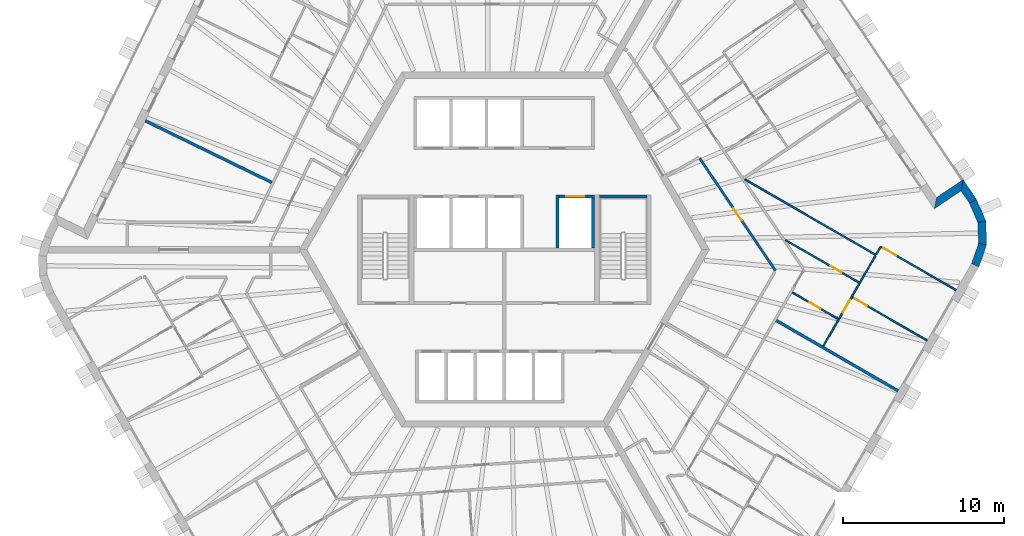
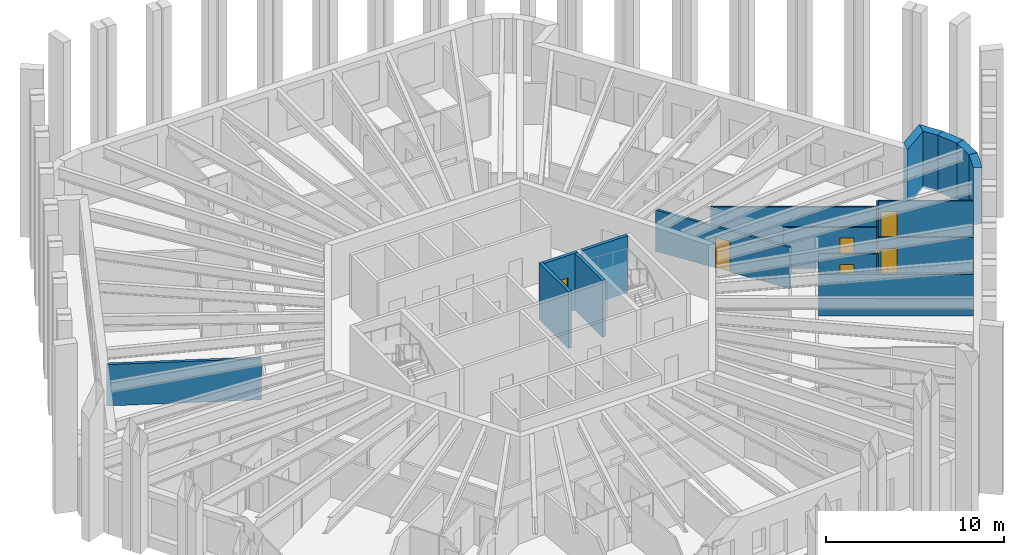
# One storey, part 7 of 13: 21 walls, 7 doors, 7 openings.
"""IFC4 building model written with IfcOpenShell, lengths in metres."""

import ifcopenshell
import ifcopenshell.guid

model = None  # the IFC model being written
_history = None  # IfcOwnerHistory: only IFC2X3 demands one
_inside = {}  # id of a spatial element -> (the spatial element, [elements in it])
_under = {}  # id of a project, library or spatial element -> (it, [spatial elements below it])
_declared = {}  # id of a project -> (the project, [libraries it declares])
_typed = {}  # id of a type object -> (the type object, [elements of that type])
_made_of = {}  # id of a material, layer set ... -> (it, [elements and type objects made of it])


def new_model(schema):
    """Start an empty IFC model of exactly this schema.

    Asked for "IFC4X3", IfcOpenShell would pick the latest addendum, in which some entities
    have other attributes; the version numbers below select the first issue.
    IFC2X3 requires an IfcOwnerHistory on every rooted entity: one is made here for all.
    """
    global model, _history
    if schema == "IFC4X3":
        model = ifcopenshell.file(schema_version=(4, 3, 0, 0))
    else:
        model = ifcopenshell.file(schema=schema)
    _inside.clear()
    _under.clear()
    _declared.clear()
    _typed.clear()
    _made_of.clear()
    _history = None
    if model.schema == "IFC2X3":
        org = make("IfcOrganization", Name="unknown")
        user = make(
            "IfcPersonAndOrganization",
            ThePerson=make("IfcPerson", FamilyName="unknown"),
            TheOrganization=org,
        )
        app = make(
            "IfcApplication",
            ApplicationDeveloper=org,
            Version="unknown",
            ApplicationFullName="unknown",
            ApplicationIdentifier="unknown",
        )
        _history = make(
            "IfcOwnerHistory",
            OwningUser=user,
            OwningApplication=app,
            ChangeAction="ADDED",
            CreationDate=0,
        )
    return model


def make(cls, **values):
    """One entity of the class cls with the attributes given. An attribute that is None is left unset."""
    return model.create_entity(
        cls, **{name: value for name, value in values.items() if value is not None}
    )


def rooted(cls, **values):
    """An entity with a GlobalId (a new one), such as an element, a storey or a relation."""
    return make(cls, GlobalId=ifcopenshell.guid.new(), OwnerHistory=_history, **values)


def si_unit(unit_type, name, prefix=None):
    """IfcSIUnit, for example si_unit("LENGTHUNIT", "METRE", prefix="MILLI")."""
    return make("IfcSIUnit", UnitType=unit_type, Prefix=prefix, Name=name)


def assignment(units):
    """IfcUnitAssignment: the units of a project."""
    return None if units is None else make("IfcUnitAssignment", Units=units)


def point(xyz):
    """IfcCartesianPoint."""
    return None if xyz is None else make("IfcCartesianPoint", Coordinates=xyz)


def direction(xyz):
    """IfcDirection."""
    return None if xyz is None else make("IfcDirection", DirectionRatios=xyz)


def frame(location, z_axis=None, x_axis=None):
    """IfcAxis2Placement3D, a coordinate frame: its origin and axes. An axis left out is left unset."""
    return make(
        "IfcAxis2Placement3D",
        Location=point(location),
        Axis=direction(z_axis),
        RefDirection=direction(x_axis),
    )


def frame_2d(location, x_axis=None):
    """IfcAxis2Placement2D, a coordinate frame in the plane: its origin and x axis."""
    return make(
        "IfcAxis2Placement2D", Location=point(location), RefDirection=direction(x_axis)
    )


def origin():
    """The frame at (0, 0, 0) with its axes left unset."""
    return frame((0.0, 0.0, 0.0))


def place(relative_to, where):
    """IfcLocalPlacement: puts the frame where relative to a parent placement (None: the world)."""
    return make(
        "IfcLocalPlacement", PlacementRelTo=relative_to, RelativePlacement=where
    )


def context(
    kind, dimensions, precision=None, world=None, true_north=None, identifier=None
):
    """IfcGeometricRepresentationContext, for example the 3D "Model" context."""
    return make(
        "IfcGeometricRepresentationContext",
        ContextIdentifier=identifier,
        ContextType=kind,
        CoordinateSpaceDimension=dimensions,
        Precision=precision,
        WorldCoordinateSystem=world,
        TrueNorth=true_north,
    )


def subcontext(parent, identifier, kind, view, scale=None):
    """IfcGeometricRepresentationSubContext, for example "Body" below "Model"."""
    return make(
        "IfcGeometricRepresentationSubContext",
        ContextIdentifier=identifier,
        ContextType=kind,
        ParentContext=parent,
        TargetScale=scale,
        TargetView=view,
    )


def project(units=None, contexts=None):
    """IfcProject with its units and contexts."""
    return rooted(
        "IfcProject",
        Name="project",
        RepresentationContexts=contexts,
        UnitsInContext=assignment(units),
    )


def spatial(cls, under=None, at=None, **own):
    """A site, building, storey or space (cls), placed at a placement, below another one or the project."""
    s = rooted(cls, ObjectPlacement=at, **own)
    if under is not None:
        _under.setdefault(under.id(), (under, []))[1].append(s)
    return s


def polyline(points):
    """IfcPolyline through the points."""
    return make("IfcPolyline", Points=[point(p) for p in points])


def profile(cls, at=None, kind="AREA", **sizes):
    """A parametric profile (cls). Its sizes go by their IFC names, for example OverallWidth=200.0."""
    return make(cls, ProfileType=kind, Position=at, **sizes)


def rectangle(**sizes):
    """IfcRectangleProfileDef."""
    return profile("IfcRectangleProfileDef", **sizes)


def outline(outer, holes=None, kind="AREA"):
    """IfcArbitraryClosedProfileDef: a profile drawn as a closed curve; with holes, ...WithVoids."""
    if holes is None:
        return make("IfcArbitraryClosedProfileDef", ProfileType=kind, OuterCurve=outer)
    return make(
        "IfcArbitraryProfileDefWithVoids",
        ProfileType=kind,
        OuterCurve=outer,
        InnerCurves=holes,
    )


def extrude(swept, where, along, depth):
    """IfcExtrudedAreaSolid: the profile swept, set in the frame where, extruded along a direction by depth."""
    return make(
        "IfcExtrudedAreaSolid",
        SweptArea=swept,
        Position=where,
        ExtrudedDirection=direction(along),
        Depth=depth,
    )


def shape(context_of_items, identifier, shape_type, items):
    """IfcShapeRepresentation: the items that make up one representation, for example the "Body"."""
    return make(
        "IfcShapeRepresentation",
        ContextOfItems=context_of_items,
        RepresentationIdentifier=identifier,
        RepresentationType=shape_type,
        Items=items,
    )


def material(Name=None, Category=None):
    """IfcMaterial."""
    return make("IfcMaterial", Name=Name, Category=Category)


def layer(
    of_material, thickness, ventilated=None, Name=None, Category=None, Priority=None
):
    """IfcMaterialLayer: one layer of a wall or slab, of a material (None: an air gap)."""
    return make(
        "IfcMaterialLayer",
        Material=of_material,
        LayerThickness=thickness,
        IsVentilated=ventilated,
        Name=Name,
        Category=Category,
        Priority=Priority,
    )


def layer_set(layers, Name=None):
    """IfcMaterialLayerSet."""
    return make("IfcMaterialLayerSet", MaterialLayers=layers, LayerSetName=Name)


def made_of(thing, what):
    """Note that an element or type object is made of a material, layer set ...; save() writes the relation."""
    if what is not None:
        _made_of.setdefault(what.id(), (what, []))[1].append(thing)
    return thing


def type_object(cls, material=None, **own):
    """A type object (cls), such as IfcWallType, which elements share."""
    return made_of(rooted(cls, **own), material)


def element(
    cls,
    number,
    at=None,
    inside=None,
    cuts=None,
    type_object=None,
    material=None,
    context=None,
    identifier="Body",
    shape_type=None,
    held_by="IfcProductDefinitionShape",
    body=None,
    shapes=None,
    **own,
):
    """One element of the class cls, such as IfcWall. Its Tag is "e" and its number.

    at: its placement. inside: the storey or other place that contains it. cuts: it is an
    opening in that element (IfcRelVoidsElement). A single representation is given by context,
    identifier, shape_type and body (its items); several are given by shapes. held_by: the class
    of the entity that holds the representations. save() writes the other relations.
    """
    e = rooted(cls, Tag="e%d" % number, ObjectPlacement=at, **own)
    if body is not None:
        shapes = [shape(context, identifier, shape_type, body)]
    if shapes is not None:
        e.Representation = make(held_by, Representations=shapes)
    if inside is not None:
        _inside.setdefault(inside.id(), (inside, []))[1].append(e)
    if cuts is not None:
        rooted(
            "IfcRelVoidsElement", RelatingBuildingElement=cuts, RelatedOpeningElement=e
        )
    if type_object is not None:
        _typed.setdefault(type_object.id(), (type_object, []))[1].append(e)
    return made_of(e, material)


def fill(opening, filler):
    """IfcRelFillsElement: the door or window that sits in an opening."""
    return rooted(
        "IfcRelFillsElement",
        RelatingOpeningElement=opening,
        RelatedBuildingElement=filler,
    )


def aggregate(whole, parts):
    """IfcRelAggregates: a whole, such as a stair, and the parts it consists of."""
    return rooted("IfcRelAggregates", RelatingObject=whole, RelatedObjects=parts)


def save(model, path):
    """Write the relations noted so far, then the file.

    IfcRelAggregates (storeys below a building ...), IfcRelContainedInSpatialStructure (elements
    in a storey), IfcRelDefinesByType, IfcRelAssociatesMaterial and IfcRelDeclares: one each for
    every whole, place, type object, material and project.
    """
    for whole, parts in _under.values():
        aggregate(whole, parts)
    for where, things in _inside.values():
        rooted(
            "IfcRelContainedInSpatialStructure",
            RelatedElements=things,
            RelatingStructure=where,
        )
    for kind, things in _typed.values():
        rooted("IfcRelDefinesByType", RelatedObjects=things, RelatingType=kind)
    for what, things in _made_of.values():
        rooted("IfcRelAssociatesMaterial", RelatedObjects=things, RelatingMaterial=what)
    for by, libraries in _declared.values():
        rooted("IfcRelDeclares", RelatingContext=by, RelatedDefinitions=libraries)
    model.write(path)


model = new_model("IFC4")

# Units and contexts
model_context = context("Model", 3, precision=1e-05, world=origin(), true_north=direction((0.0, 1.0)))
body_context = subcontext(model_context, "Body", "Model", "MODEL_VIEW")
ifc_project = project(units=[si_unit("LENGTHUNIT", "METRE"), si_unit("AREAUNIT", "SQUARE_METRE"), si_unit("VOLUMEUNIT", "CUBIC_METRE"), si_unit("PLANEANGLEUNIT", "RADIAN"), si_unit("MASSUNIT", "GRAM", prefix="KILO")], contexts=[model_context])

# Site, building, storey
site_placement = place(None, origin())
site = spatial("IfcSite", under=ifc_project, at=site_placement, CompositionType="ELEMENT")
building_placement = place(site_placement, origin())
building = spatial("IfcBuilding", under=site, at=building_placement, Name="Tarnside Tower", CompositionType="ELEMENT")
storey_placement = place(building_placement, frame((0.0, 0.0, 326.39990234375)))
storey = spatial("IfcBuildingStorey", under=building, at=storey_placement, Name="L79", CompositionType="ELEMENT", Elevation=326.39990234375)

# Wall
ifc_material_1 = material(Name="Gypsum board partition on steel studs", Category="steel")
ifc_layer_1 = layer(ifc_material_1, 0.10009765625)
ifc_layer_set_1 = layer_set([ifc_layer_1], Name="Bathroom wall 100")
wall_type_1 = type_object("IfcWallType", Name="Bathroom wall 100", PredefinedType="PARTITIONING", material=ifc_layer_set_1)
wall_1_placement = place(storey_placement, frame((14.896484375, 4.36083984375, 0.0), z_axis=(0.0, 0.0, 1.0), x_axis=(0.866020874699, -0.500007844523, 0.0)))
element("IfcWall", 1, at=wall_1_placement, inside=storey, type_object=wall_type_1, Name="Bathroom wall 26150", PredefinedType="PARTITIONING", context=body_context, shape_type="SweptSolid", body=[
    extrude(rectangle(XDim=9.379638671875, YDim=0.10009765625, at=frame_2d((4.68994140625, 0.0))), origin(), (0.0, 0.0, 1.0), 2.837890625),
])

# Wall, opening, door
wall_2_placement = place(storey_placement, frame((17.840087890625, -2.650146484375, 0.0), z_axis=(0.0, 0.0, 1.0), x_axis=(0.866002163101, -0.500040251884, 0.0)))
wall_2 = element("IfcWall", 2, at=wall_2_placement, inside=storey, type_object=wall_type_1, Name="Bathroom wall 26153", PredefinedType="PARTITIONING", context=body_context, shape_type="SweptSolid", body=[
    extrude(rectangle(XDim=3.324951171875, YDim=0.10009765625, at=frame_2d((1.66259765625, 0.0))), origin(), (0.0, 0.0, 1.0), 2.837890625),
])
opening_1_placement = place(wall_2_placement, frame((1.22509765625, 0.0, 0.0)))
opening_1 = element("IfcOpeningElement", 3, at=opening_1_placement, cuts=wall_2, Name="Opening D-B1", PredefinedType="OPENING", context=body_context, shape_type="SweptSolid", body=[
    extrude(rectangle(XDim=0.800048828125, YDim=2.10009765625, at=frame_2d((0.39990234375, 1.050048828125))), frame((0.0, 0.06005859375, 0.0), z_axis=(0.0, -1.0, 0.0), x_axis=(1.0, 0.0, 0.0)), (0.0, 0.0, 1.0), 0.1201171875),
])
ifc_material_2 = material(Name="Timber door leaf", Category="wood")
door_type_1 = type_object("IfcDoorType", Name="Bathroom door 800", OperationType="NOTDEFINED", PredefinedType="DOOR", material=ifc_material_2)
door_1_placement = place(opening_1_placement, origin())
door_1 = element("IfcDoor", 4, at=door_1_placement, inside=storey, type_object=door_type_1, Name="Bathroom door 26052", OperationType="SINGLE_SWING_RIGHT", OverallHeight=2.10009765625, OverallWidth=0.800048828125, PredefinedType="DOOR", context=body_context, shape_type="SweptSolid", body=[
    extrude(rectangle(XDim=0.800048828125, YDim=2.10009765625, at=frame_2d((0.39990234375, 1.050048828125))), frame((0.0, 0.02490234375, 0.0), z_axis=(0.0, -1.0, 0.0), x_axis=(1.0, 0.0, 0.0)), (0.0, 0.0, 1.0), 0.050048828125),
])
fill(opening_1, door_1)

wall_3_placement = place(storey_placement, frame((22.01953125, -2.06103515625, 0.0), z_axis=(0.0, 0.0, 1.0), x_axis=(-0.866041630335, 0.499971893737, 0.0)))
wall_3 = element("IfcWall", 5, at=wall_3_placement, inside=storey, type_object=wall_type_1, Name="Bathroom wall 26156", PredefinedType="PARTITIONING", context=body_context, shape_type="SweptSolid", body=[
    extrude(rectangle(XDim=5.309326171875, YDim=0.10009765625, at=frame_2d((2.65478515625, 0.0))), origin(), (0.0, 0.0, 1.0), 2.837890625),
])
opening_2_placement = place(wall_3_placement, frame((1.300048828125, 0.0, 0.0)))
opening_2 = element("IfcOpeningElement", 6, at=opening_2_placement, cuts=wall_3, Name="Opening D-B1", PredefinedType="OPENING", context=body_context, shape_type="SweptSolid", body=[
    extrude(rectangle(XDim=0.800048828125, YDim=2.10009765625, at=frame_2d((0.39990234375, 1.050048828125))), frame((0.0, 0.06005859375, 0.0), z_axis=(0.0, -1.0, 0.0), x_axis=(1.0, 0.0, 0.0)), (0.0, 0.0, 1.0), 0.1201171875),
])
door_2_placement = place(opening_2_placement, origin())
door_2 = element("IfcDoor", 7, at=door_2_placement, inside=storey, type_object=door_type_1, Name="Bathroom door 26060", OperationType="SINGLE_SWING_RIGHT", OverallHeight=2.10009765625, OverallWidth=0.800048828125, PredefinedType="DOOR", context=body_context, shape_type="SweptSolid", body=[
    extrude(rectangle(XDim=0.800048828125, YDim=2.10009765625, at=frame_2d((0.39990234375, 1.050048828125))), frame((0.0, 0.02490234375, 0.0), z_axis=(0.0, -1.0, 0.0), x_axis=(1.0, 0.0, 0.0)), (0.0, 0.0, 1.0), 0.050048828125),
])
fill(opening_2, door_2)

# Walls
wall_4_placement = place(storey_placement, frame((19.764404296875, -5.966796875, 0.0), z_axis=(0.0, 0.0, 1.0), x_axis=(0.500039310002, 0.866002706955, 0.0)))
element("IfcWall", 8, at=wall_4_placement, inside=storey, type_object=wall_type_1, Name="Bathroom wall 26157", PredefinedType="PARTITIONING", context=body_context, shape_type="SweptSolid", body=[
    extrude(rectangle(XDim=1.911865234375, YDim=0.10009765625, at=frame_2d((0.9560546875, 0.0))), origin(), (0.0, 0.0, 1.0), 2.837890625),
])
wall_5_placement = place(storey_placement, frame((22.99462890625, -0.372314453125, 0.0), z_axis=(0.0, 0.0, 1.0), x_axis=(-0.500063520245, -0.865988727248, 0.0)))
element("IfcWall", 9, at=wall_5_placement, inside=storey, type_object=wall_type_1, Name="Bathroom wall 26159", PredefinedType="PARTITIONING", context=body_context, shape_type="SweptSolid", body=[
    extrude(rectangle(XDim=1.900146484375, YDim=0.10009765625, at=frame_2d((0.9501953125, 0.0))), origin(), (0.0, 0.0, 1.0), 2.837890625),
])

# Wall, opening, door
ifc_layer_2 = layer(ifc_material_1, 0.14990234375)
ifc_layer_set_2 = layer_set([ifc_layer_2], Name="Corridor wall 150 EI 60")
wall_type_2 = type_object("IfcWallType", Name="Corridor wall 150 EI 60", PredefinedType="PARTITIONING", material=ifc_layer_set_2)
wall_6_placement = place(storey_placement, frame((12.106201171875, 5.6572265625, 0.0), z_axis=(0.0, 0.0, 1.0), x_axis=(0.559202573837, -0.829031049728, 0.0)))
wall_6 = element("IfcWall", 10, at=wall_6_placement, inside=storey, type_object=wall_type_2, Name="Corridor wall 26078", PredefinedType="PARTITIONING", context=body_context, shape_type="SweptSolid", body=[
    extrude(rectangle(XDim=8.393798828125, YDim=0.14990234375, at=frame_2d((4.19677734375, 0.0))), origin(), (0.0, 0.0, 1.0), 2.837890625),
])
opening_3_placement = place(wall_6_placement, frame((3.746826171875, 0.0, 0.0)))
opening_3 = element("IfcOpeningElement", 11, at=opening_3_placement, cuts=wall_6, Name="Opening D-S1", PredefinedType="OPENING", context=body_context, shape_type="SweptSolid", body=[
    extrude(rectangle(XDim=0.89990234375, YDim=2.10009765625, at=frame_2d((0.449951171875, 1.050048828125))), frame((0.0, 0.0849609375, 0.0), z_axis=(0.0, -1.0, 0.0), x_axis=(1.0, 0.0, 0.0)), (0.0, 0.0, 1.0), 0.169921875),
])
door_type_2 = type_object("IfcDoorType", Name="Service room door 900 FD30S", OperationType="NOTDEFINED", PredefinedType="DOOR", material=ifc_material_2)
door_3_placement = place(opening_3_placement, origin())
door_3 = element("IfcDoor", 12, at=door_3_placement, inside=storey, type_object=door_type_2, Name="Service door 26076", OperationType="SINGLE_SWING_RIGHT", OverallHeight=2.10009765625, OverallWidth=0.89990234375, PredefinedType="DOOR", context=body_context, shape_type="SweptSolid", body=[
    extrude(rectangle(XDim=0.89990234375, YDim=2.10009765625, at=frame_2d((0.449951171875, 1.050048828125))), frame((0.0, 0.02490234375, 0.0), z_axis=(0.0, -1.0, 0.0), x_axis=(1.0, 0.0, 0.0)), (0.0, 0.0, 1.0), 0.050048828125),
])
fill(opening_3, door_3)

# Walls
ifc_layer_3 = layer(ifc_material_1, 0.179931640625)
ifc_layer_set_3 = layer_set([ifc_layer_3], Name="Demising wall 180 EI 60")
wall_type_3 = type_object("IfcWallType", Name="Demising wall 180 EI 60", PredefinedType="PARTITIONING", material=ifc_layer_set_3)
for number, where, z_axis, x_axis, name in (
    (13, (-22.25048828125, 7.987060546875, 0.0), (0.0, 0.0, 1.0), (0.898793723754, -0.438371808105, 0.0), "Demising wall 26105"),
    (14, (24.39599609375, -8.744873046875, 0.0), (0.0, 0.0, 1.0), (-0.866018297078, 0.500012308975, 0.0), "Demising wall 26139"),
):
    element("IfcWall", number, at=place(storey_placement, frame(where, z_axis=z_axis, x_axis=x_axis)), inside=storey, type_object=wall_type_3, Name=name, PredefinedType="PARTITIONING", context=body_context, shape_type="SweptSolid", body=[
        extrude(rectangle(XDim=8.724853515625, YDim=0.179931640625, at=frame_2d((4.3623046875, 0.0))), origin(), (0.0, 0.0, 1.0), 2.837890625),
    ])

# Wall, opening, door
ifc_material_3 = material(Name="Concrete C40/50", Category="concrete")
ifc_layer_4 = layer(ifc_material_3, 0.199951171875)
ifc_layer_set_4 = layer_set([ifc_layer_4], Name="Lift shaft wall 200 C40/50")
wall_type_4 = type_object("IfcWallType", Name="Lift shaft wall 200 C40/50", PredefinedType="SHEAR", material=ifc_layer_set_4)
wall_7_placement = place(storey_placement, frame((3.39990234375, 3.300048828125, -0.25), z_axis=(0.0, 0.0, 1.0), x_axis=(1.0, 0.0, 0.0)))
wall_7 = element("IfcWall", 15, at=wall_7_placement, inside=storey, type_object=wall_type_4, Name="L79 lift shaft front wall R2 2", PredefinedType="SHEAR", context=body_context, shape_type="SweptSolid", body=[
    extrude(rectangle(XDim=2.2001953125, YDim=0.199951171875, at=frame_2d((1.10009765625, 0.0))), origin(), (0.0, 0.0, 1.0), 3.900146484375),
])
opening_4_placement = place(wall_7_placement, frame((0.449951171875, 0.0, 0.25)))
opening_4 = element("IfcOpeningElement", 16, at=opening_4_placement, cuts=wall_7, Name="Opening LD", PredefinedType="OPENING", context=body_context, shape_type="SweptSolid", body=[
    extrude(rectangle(XDim=1.10009765625, YDim=2.10009765625, at=frame_2d((0.550048828125, 1.050048828125))), frame((0.0, 0.10986328125, 0.0), z_axis=(0.0, -1.0, 0.0), x_axis=(1.0, 0.0, 0.0)), (0.0, 0.0, 1.0), 0.219970703125),
])
ifc_material_4 = material(Name="Stainless steel", Category="steel")
door_type_3 = type_object("IfcDoorType", Name="Lift landing door 1100x2100", OperationType="NOTDEFINED", PredefinedType="DOOR", material=ifc_material_4)
door_4_placement = place(opening_4_placement, origin())
door_4 = element("IfcDoor", 17, at=door_4_placement, inside=storey, type_object=door_type_3, Name="Express sky-lobby shuttle 2 landing door L79", OperationType="SLIDING_TO_LEFT", OverallHeight=2.10009765625, OverallWidth=1.10009765625, PredefinedType="DOOR", context=body_context, shape_type="SweptSolid", body=[
    extrude(rectangle(XDim=1.10009765625, YDim=2.10009765625, at=frame_2d((0.550048828125, 1.050048828125))), frame((0.0, 0.02490234375, 0.0), z_axis=(0.0, -1.0, 0.0), x_axis=(1.0, 0.0, 0.0)), (0.0, 0.0, 1.0), 0.050048828125),
])
fill(opening_4, door_4)

# Walls
wall_8_placement = place(storey_placement, frame((3.300048828125, 0.10009765625, -0.25), z_axis=(0.0, 0.0, 1.0), x_axis=(0.0, 1.0, 0.0)))
element("IfcWall", 18, at=wall_8_placement, inside=storey, type_object=wall_type_4, Name="L79 lift shaft partition R25", PredefinedType="SHEAR", context=body_context, shape_type="SweptSolid", body=[
    extrude(rectangle(XDim=3.2998046875, YDim=0.199951171875, at=frame_2d((1.64990234375, 0.0))), origin(), (0.0, 0.0, 1.0), 3.900146484375),
])
wall_9_placement = place(storey_placement, frame((5.5, 0.10009765625, -0.25), z_axis=(0.0, 0.0, 1.0), x_axis=(0.0, 1.0, 0.0)))
element("IfcWall", 19, at=wall_9_placement, inside=storey, type_object=wall_type_4, Name="L79 lift shaft partition R26", PredefinedType="SHEAR", context=body_context, shape_type="SweptSolid", body=[
    extrude(rectangle(XDim=3.099853515625, YDim=0.199951171875, at=frame_2d((1.5498046875, 0.0))), origin(), (0.0, 0.0, 1.0), 3.900146484375),
])
wall_10_placement = place(storey_placement, frame((5.89990234375, 3.300048828125, -0.25), z_axis=(0.0, 0.0, 1.0), x_axis=(1.0, 0.0, 0.0)))
element("IfcWall", 20, at=wall_10_placement, inside=storey, type_object=wall_type_4, Name="L79 stair 1 enclosure cap wall n", PredefinedType="SHEAR", context=body_context, shape_type="SweptSolid", body=[
    extrude(rectangle(XDim=2.9501953125, YDim=0.199951171875, at=frame_2d((1.47509765625, 0.0))), origin(), (0.0, 0.0, 1.0), 3.900146484375),
])
ifc_material_5 = material(Name="Dark zinc cladding")
ifc_layer_5 = layer(ifc_material_5, 0.10205078125)
ifc_material_6 = material(Name="Concrete C60/75 precast", Category="concrete")
ifc_layer_6 = layer(ifc_material_6, 0.298095703125)
ifc_material_7 = material(Name="Mineral wool insulation")
ifc_layer_7 = layer(ifc_material_7, 0.10009765625)
ifc_layer_set_5 = layer_set([ifc_layer_5, ifc_layer_6, ifc_layer_7], Name="Loggia wall 500 zinc faced")
wall_type_5 = type_object("IfcWallType", Name="Loggia wall 500 zinc faced", PredefinedType="SOLIDWALL", material=ifc_layer_set_5)
wall_11_placement = place(storey_placement, frame((29.034912109375, 3.00244140625, -0.14990234375), z_axis=(0.0, 0.0, 1.0), x_axis=(-0.559200218553, 0.829032638423, 0.0)))
element("IfcWall", 21, at=wall_11_placement, inside=storey, type_object=wall_type_5, Name="Tube wall L79 F6 stub 28", PredefinedType="SOLIDWALL", context=body_context, shape_type="SweptSolid", body=[
    extrude(outline(polyline([(-0.0234375, -0.25), (1.44970703125, -0.25), (0.94970703125, 0.25), (0.0234375, 0.25), (-0.0234375, -0.25)])), origin(), (0.0, 0.0, 1.0), 3.89990234375),
])
wall_12_placement = place(storey_placement, frame((28.364013671875, 3.9970703125, -0.14990234375), z_axis=(0.0, 0.0, 1.0), x_axis=(-0.829108975345, -0.5590870299, 0.0)))
element("IfcWall", 22, at=wall_12_placement, inside=storey, type_object=wall_type_5, Name="Tube wall L79 F6 return 29", PredefinedType="SOLIDWALL", context=body_context, shape_type="SweptSolid", body=[
    extrude(outline(polyline([(-0.25, -0.25), (1.75, -0.25), (2.25, 0.25), (0.25, 0.25), (-0.25, -0.25)])), origin(), (0.0, 0.0, 1.0), 3.89990234375),
])
ifc_layer_8 = layer(ifc_material_1, 0.10009765625)
ifc_layer_set_6 = layer_set([ifc_layer_8], Name="Partition 100")
wall_type_6 = type_object("IfcWallType", Name="Partition 100", PredefinedType="PARTITIONING", material=ifc_layer_set_6)
wall_13_placement = place(storey_placement, frame((23.04345703125, -0.287353515625, 0.0), z_axis=(0.0, 0.0, 1.0), x_axis=(0.500181810019, 0.865920410272, 0.0)))
element("IfcWall", 23, at=wall_13_placement, inside=storey, type_object=wall_type_6, Name="Partition wall 26148", PredefinedType="PARTITIONING", context=body_context, shape_type="SweptSolid", body=[
    extrude(rectangle(XDim=0.552001953125, YDim=0.10009765625, at=frame_2d((0.27587890625, 0.0))), origin(), (0.0, 0.0, 1.0), 2.837890625),
])

# Wall, opening, door
wall_14_placement = place(storey_placement, frame((23.36279296875, 0.16552734375, 0.0), z_axis=(0.0, 0.0, 1.0), x_axis=(0.866024483152, -0.500001594578, 0.0)))
wall_14 = element("IfcWall", 24, at=wall_14_placement, inside=storey, type_object=wall_type_6, Name="Partition wall 26149", PredefinedType="PARTITIONING", context=body_context, shape_type="SweptSolid", body=[
    extrude(rectangle(XDim=5.35009765625, YDim=0.10009765625, at=frame_2d((2.675048828125, 0.0))), origin(), (0.0, 0.0, 1.0), 2.837890625),
])
opening_5_placement = place(wall_14_placement, frame((0.14990234375, 0.0, 0.0)))
opening_5 = element("IfcOpeningElement", 25, at=opening_5_placement, cuts=wall_14, Name="Opening D-I1", PredefinedType="OPENING", context=body_context, shape_type="SweptSolid", body=[
    extrude(rectangle(XDim=0.89990234375, YDim=2.10009765625, at=frame_2d((0.449951171875, 1.050048828125))), frame((0.0, 0.06005859375, 0.0), z_axis=(0.0, -1.0, 0.0), x_axis=(1.0, 0.0, 0.0)), (0.0, 0.0, 1.0), 0.1201171875),
])
door_type_4 = type_object("IfcDoorType", Name="Internal door 900", OperationType="NOTDEFINED", PredefinedType="DOOR", material=ifc_material_2)
door_5_placement = place(opening_5_placement, origin())
door_5 = element("IfcDoor", 26, at=door_5_placement, inside=storey, type_object=door_type_4, Name="Internal door 26059", OperationType="SINGLE_SWING_RIGHT", OverallHeight=2.10009765625, OverallWidth=0.89990234375, PredefinedType="DOOR", context=body_context, shape_type="SweptSolid", body=[
    extrude(rectangle(XDim=0.89990234375, YDim=2.10009765625, at=frame_2d((0.449951171875, 1.050048828125))), frame((0.0, 0.02490234375, 0.0), z_axis=(0.0, -1.0, 0.0), x_axis=(1.0, 0.0, 0.0)), (0.0, 0.0, 1.0), 0.050048828125),
])
fill(opening_5, door_5)

wall_15_placement = place(storey_placement, frame((20.743408203125, -4.271240234375, 0.0), z_axis=(0.0, 0.0, 1.0), x_axis=(0.500014808323, 0.866016854026, 0.0)))
wall_15 = element("IfcWall", 27, at=wall_15_placement, inside=storey, type_object=wall_type_6, Name="Partition wall 26154", PredefinedType="PARTITIONING", context=body_context, shape_type="SweptSolid", body=[
    extrude(rectangle(XDim=2.55419921875, YDim=0.10009765625, at=frame_2d((1.277099609375, 0.0))), origin(), (0.0, 0.0, 1.0), 2.837890625),
])
opening_6_placement = place(wall_15_placement, frame((0.451904296875, 0.0, 0.0)))
opening_6 = element("IfcOpeningElement", 28, at=opening_6_placement, cuts=wall_15, Name="Opening D-I1", PredefinedType="OPENING", context=body_context, shape_type="SweptSolid", body=[
    extrude(rectangle(XDim=0.89990234375, YDim=2.10009765625, at=frame_2d((0.449951171875, 1.050048828125))), frame((0.0, 0.06005859375, 0.0), z_axis=(0.0, -1.0, 0.0), x_axis=(1.0, 0.0, 0.0)), (0.0, 0.0, 1.0), 0.1201171875),
])
door_6_placement = place(opening_6_placement, origin())
door_6 = element("IfcDoor", 29, at=door_6_placement, inside=storey, type_object=door_type_4, Name="Internal door 26054", OperationType="SINGLE_SWING_LEFT", OverallHeight=2.10009765625, OverallWidth=0.89990234375, PredefinedType="DOOR", context=body_context, shape_type="SweptSolid", body=[
    extrude(rectangle(XDim=0.89990234375, YDim=2.10009765625, at=frame_2d((0.449951171875, 1.050048828125))), frame((0.0, 0.02490234375, 0.0), z_axis=(0.0, -1.0, 0.0), x_axis=(1.0, 0.0, 0.0)), (0.0, 0.0, 1.0), 0.050048828125),
])
fill(opening_6, door_6)

wall_16_placement = place(storey_placement, frame((26.196044921875, -5.627197265625, 0.0), z_axis=(0.0, 0.0, 1.0), x_axis=(-0.866024483152, 0.500001594578, 0.0)))
wall_16 = element("IfcWall", 30, at=wall_16_placement, inside=storey, type_object=wall_type_6, Name="Partition wall 26158", PredefinedType="PARTITIONING", context=body_context, shape_type="SweptSolid", body=[
    extrude(rectangle(XDim=5.35009765625, YDim=0.10009765625, at=frame_2d((2.675048828125, 0.0))), origin(), (0.0, 0.0, 1.0), 2.837890625),
])
opening_7_placement = place(wall_16_placement, frame((4.300048828125, 0.0, 0.0)))
opening_7 = element("IfcOpeningElement", 31, at=opening_7_placement, cuts=wall_16, Name="Opening D-I1", PredefinedType="OPENING", context=body_context, shape_type="SweptSolid", body=[
    extrude(rectangle(XDim=0.89990234375, YDim=2.10009765625, at=frame_2d((0.449951171875, 1.050048828125))), frame((0.0, 0.06005859375, 0.0), z_axis=(0.0, -1.0, 0.0), x_axis=(1.0, 0.0, 0.0)), (0.0, 0.0, 1.0), 0.1201171875),
])
door_7_placement = place(opening_7_placement, origin())
door_7 = element("IfcDoor", 32, at=door_7_placement, inside=storey, type_object=door_type_4, Name="Internal door 26057", OperationType="SINGLE_SWING_RIGHT", OverallHeight=2.10009765625, OverallWidth=0.89990234375, PredefinedType="DOOR", context=body_context, shape_type="SweptSolid", body=[
    extrude(rectangle(XDim=0.89990234375, YDim=2.10009765625, at=frame_2d((0.449951171875, 1.050048828125))), frame((0.0, 0.02490234375, 0.0), z_axis=(0.0, -1.0, 0.0), x_axis=(1.0, 0.0, 0.0)), (0.0, 0.0, 1.0), 0.050048828125),
])
fill(opening_7, door_7)

# Walls
ifc_material_8 = material(Name="Facing brick", Category="masonry")
ifc_layer_9 = layer(ifc_material_8, 0.10205078125)
ifc_layer_10 = layer(ifc_material_6, 0.298095703125)
ifc_layer_11 = layer(ifc_material_7, 0.10009765625)
ifc_layer_set_7 = layer_set([ifc_layer_9, ifc_layer_10, ifc_layer_11], Name="Tube wall 500 brick faced")
wall_type_7 = type_object("IfcWallType", Name="Tube wall 500 brick faced", PredefinedType="SOLIDWALL", material=ifc_layer_set_7)
wall_17_placement = place(storey_placement, frame((29.173828125, -0.9697265625, -0.14990234375), z_axis=(0.0, 0.0, 1.0), x_axis=(0.330961348063, 0.943644311215, 0.0)))
element("IfcWall", 33, at=wall_17_placement, inside=storey, type_object=wall_type_7, Name="Tube wall L79 F5 chord 25", PredefinedType="SOLIDWALL", context=body_context, shape_type="SweptSolid", body=[
    extrude(outline(polyline([(-0.0234375, -0.25), (1.435302734375, -0.25), (1.341064453125, 0.25), (0.0234375, 0.25), (-0.0234375, -0.25)])), origin(), (0.0, 0.0, 1.0), 3.89990234375),
])
wall_18_placement = place(storey_placement, frame((29.63330078125, 0.34033203125, -0.14990234375), z_axis=(0.0, 0.0, 1.0), x_axis=(-0.034825746769, 0.999393399699, 0.0)))
element("IfcWall", 34, at=wall_18_placement, inside=storey, type_object=wall_type_7, Name="Tube wall L79 F5 chord 26", PredefinedType="SOLIDWALL", context=body_context, shape_type="SweptSolid", body=[
    extrude(outline(polyline([(-0.047119140625, -0.25), (1.43505859375, -0.25), (1.3408203125, 0.25), (0.047119140625, 0.25), (-0.047119140625, -0.25)])), origin(), (0.0, 0.0, 1.0), 3.89990234375),
])
wall_19_placement = place(storey_placement, frame((29.5849609375, 1.7275390625, -0.14990234375), z_axis=(0.0, 0.0, 1.0), x_axis=(-0.396146339195, 0.918187387162, 0.0)))
element("IfcWall", 35, at=wall_19_placement, inside=storey, type_object=wall_type_7, Name="Tube wall L79 F5 chord 27", PredefinedType="SOLIDWALL", context=body_context, shape_type="SweptSolid", body=[
    extrude(outline(polyline([(-0.047119140625, -0.25), (1.411865234375, -0.25), (1.364990234375, 0.25), (0.047119140625, 0.25), (-0.047119140625, -0.25)])), origin(), (0.0, 0.0, 1.0), 3.89990234375),
])

save(model, "model.ifc")
